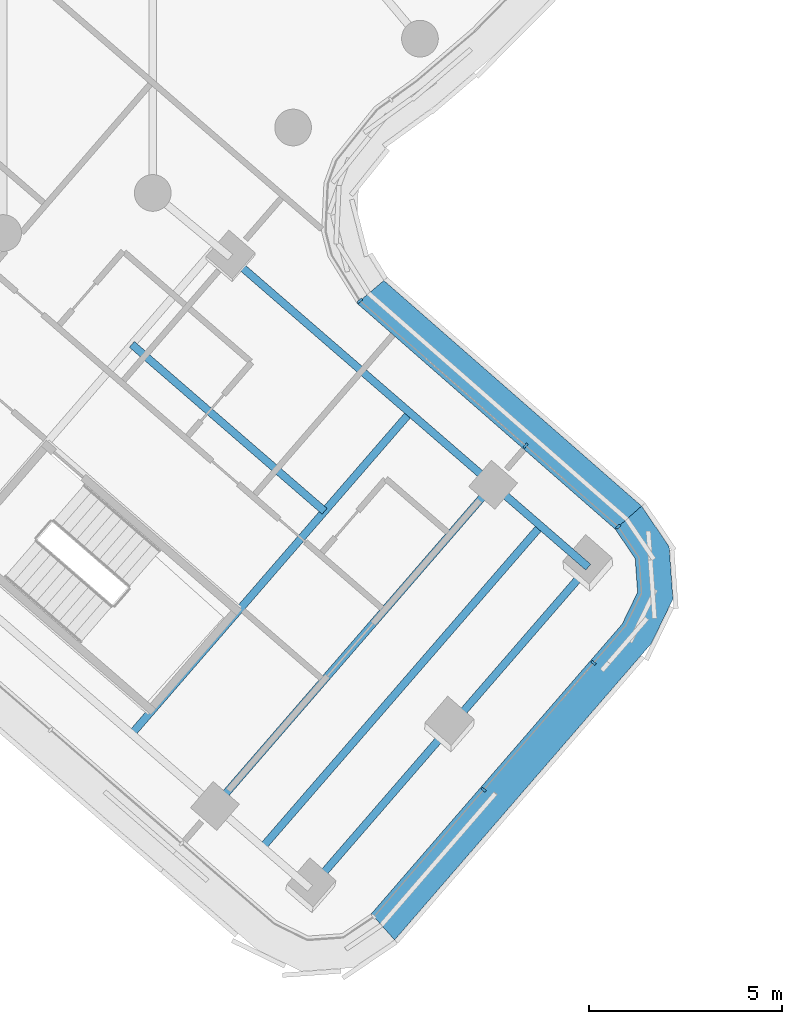
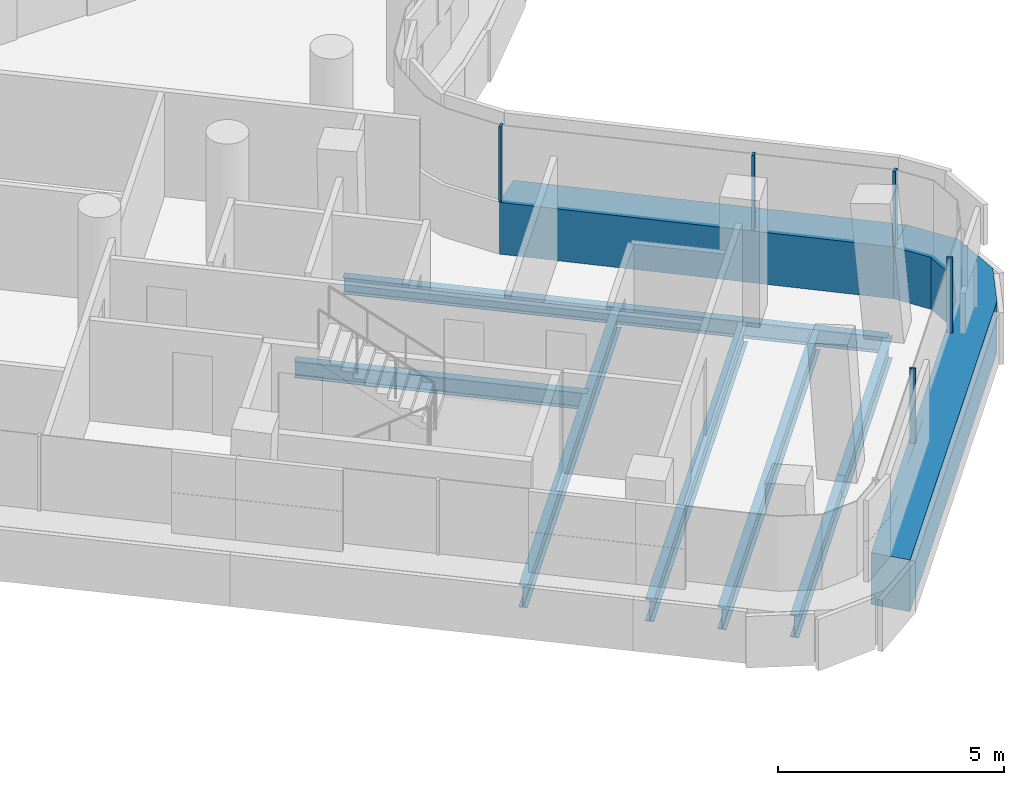
# One storey, part 6 of 32: 8 beams, 7 members, 3 elements without a shape of their own.
"""IFC4 building model written with IfcOpenShell, lengths in metres."""

from ifc_helpers import new_model, si_unit, direction, frame, origin, origin_2d, place, context, subcontext, project, spatial, polyline, rectangle, i_section, outline, extrude, material, layer, layer_set, material_profile, profile_set, type_object, element, aggregate, save


model = new_model("IFC4")

# Units and contexts
model_context = context("Model", 3, precision=1e-05, world=origin(), true_north=direction((0.0, 1.0)))
body_context = subcontext(model_context, "Body", "Model", "MODEL_VIEW")
ifc_project = project(units=[si_unit("LENGTHUNIT", "METRE"), si_unit("AREAUNIT", "SQUARE_METRE"), si_unit("VOLUMEUNIT", "CUBIC_METRE"), si_unit("PLANEANGLEUNIT", "RADIAN"), si_unit("MASSUNIT", "GRAM", prefix="KILO")], contexts=[model_context])

# Site, building, storey
site_placement = place(None, origin())
site = spatial("IfcSite", under=ifc_project, at=site_placement, CompositionType="ELEMENT")
building_placement = place(site_placement, origin())
building = spatial("IfcBuilding", under=site, at=building_placement, Name="Tamarind Cross Interchange Tower", CompositionType="ELEMENT")
storey_placement = place(building_placement, frame((0.0, 0.0, 211.300048828125)))
storey = spatial("IfcBuildingStorey", under=building, at=storey_placement, Name="L53", CompositionType="ELEMENT", Elevation=211.300048828125)

# Beams
ifc_material_1 = material(Name="Steel Q355B", Category="steel")
ifc_material_profile_1 = material_profile(ifc_material_1, i_section(OverallWidth=0.198974609375, OverallDepth=0.446044921875, WebThickness=0.008056640625, FlangeThickness=0.011962890625, FilletRadius=0.012939453125, at=origin_2d()), Name="HN 446x199x8x12")
ifc_profile_set_1 = profile_set([ifc_material_profile_1], Name="Steel Q355B")
beam_type_1 = type_object("IfcBeamType", Name="Composite beam HN 446x199x8x12 Q355B", PredefinedType="BEAM", material=ifc_profile_set_1)
beam_1_placement = place(storey_placement, frame((19.141357421875, -31.3017578125, -0.363037109375), z_axis=(-0.755899150045, 0.654688074553, 0.0), x_axis=(-0.654688074553, -0.755899150045, 0.0)))
element("IfcBeam", 1, at=beam_1_placement, inside=storey, type_object=beam_type_1, Name="Beam S-edgeep2", PredefinedType="BEAM", context=body_context, shape_type="SweptSolid", body=[
    extrude(i_section(OverallWidth=0.198974609375, OverallDepth=0.446044921875, WebThickness=0.008056640625, FlangeThickness=0.011962890625, FilletRadius=0.012939453125, at=origin_2d()), origin(), (0.0, 0.0, 1.0), 3.2587890625),
])
beam_2_placement = place(storey_placement, frame((16.677978515625, -29.168212890625, -0.363037109375), z_axis=(-0.755911009677, 0.654674381237, 0.0), x_axis=(-0.654674381237, -0.755911009677, 0.0)))
element("IfcBeam", 2, at=beam_2_placement, inside=storey, type_object=beam_type_1, Name="Beam S-edgeep3", PredefinedType="BEAM", context=body_context, shape_type="SweptSolid", body=[
    extrude(i_section(OverallWidth=0.198974609375, OverallDepth=0.446044921875, WebThickness=0.008056640625, FlangeThickness=0.011962890625, FilletRadius=0.012939453125, at=origin_2d()), origin(), (0.0, 0.0, 1.0), 9.0),
])
beam_3_placement = place(storey_placement, frame((7.3251953125, -25.53271484375, -0.363037109375), z_axis=(0.755914834316, -0.654669965144, 0.0), x_axis=(0.654669965144, 0.755914834316, 0.0)))
element("IfcBeam", 3, at=beam_3_placement, inside=storey, type_object=beam_type_1, Name="Beam S-stripp", PredefinedType="BEAM", context=body_context, shape_type="SweptSolid", body=[
    extrude(i_section(OverallWidth=0.198974609375, OverallDepth=0.446044921875, WebThickness=0.008056640625, FlangeThickness=0.011962890625, FilletRadius=0.012939453125, at=origin_2d()), origin(), (0.0, 0.0, 1.0), 6.599853515625),
])
ifc_material_profile_2 = material_profile(ifc_material_1, i_section(OverallWidth=0.198974609375, OverallDepth=0.595947265625, WebThickness=0.010009765625, FlangeThickness=0.014892578125, FilletRadius=0.012939453125, at=origin_2d()), Name="HN 596x199x10x15")
ifc_profile_set_2 = profile_set([ifc_material_profile_2], Name="Steel Q355B")
beam_type_2 = type_object("IfcBeamType", Name="Composite beam HN 596x199x10x15 Q355B", PredefinedType="BEAM", material=ifc_profile_set_2)
for number, where, z_axis, x_axis, name in (
    (4, (11.940185546875, -39.61669921875, -0.43798828125), (0.654665171446, 0.755918985934, 0.0), (-0.755918985934, 0.654665171446, 0.0), "Beam S-tip0"),
    (5, (15.540771484375, -35.459228515625, -0.43798828125), (0.654665171446, 0.755918985934, 0.0), (-0.755918985934, 0.654665171446, 0.0), "Beam S-tip1"),
):
    element("IfcBeam", number, at=place(storey_placement, frame(where, z_axis=z_axis, x_axis=x_axis)), inside=storey, type_object=beam_type_2, Name=name, PredefinedType="BEAM", context=body_context, shape_type="SweptSolid", body=[
        extrude(i_section(OverallWidth=0.198974609375, OverallDepth=0.595947265625, WebThickness=0.010009765625, FlangeThickness=0.014892578125, FilletRadius=0.012939453125, at=origin_2d()), origin(), (0.0, 0.0, 1.0), 5.5),
    ])
for number, where, z_axis, x_axis, name in (
    (6, (7.322265625, -35.617431640625, -0.43798828125), (0.654677853721, 0.755908002238, 0.0), (-0.755908002238, 0.654677853721, 0.0), "Beam S-x364"),
    (7, (9.476806640625, -37.4833984375, -0.43798828125), (0.654654187812, 0.755928498193, 0.0), (-0.755928498193, 0.654654187812, 0.0), "Beam S-x393"),
    (8, (10.70849609375, -38.550048828125, -0.43798828125), (0.654654187812, 0.755928498193, 0.0), (-0.755928498193, 0.654654187812, 0.0), "Beam S-x409"),
):
    element("IfcBeam", number, at=place(storey_placement, frame(where, z_axis=z_axis, x_axis=x_axis)), inside=storey, type_object=beam_type_2, Name=name, PredefinedType="BEAM", context=body_context, shape_type="SweptSolid", body=[
        extrude(i_section(OverallWidth=0.198974609375, OverallDepth=0.595947265625, WebThickness=0.010009765625, FlangeThickness=0.014892578125, FilletRadius=0.012939453125, at=origin_2d()), origin(), (0.0, 0.0, 1.0), 11.0),
    ])

# Curtain wall, member
ifc_material_2 = material(Name="Aluminium 6063-T6", Category="aluminium")
ifc_layer = layer(ifc_material_2, 0.139892578125)
ifc_layer_set = layer_set([ifc_layer], Name="Aluminium 6063-T6")
curtain_wall_type = type_object("IfcCurtainWallType", Name="Hotel curtain wall, 4.5 m bays", PredefinedType="NOTDEFINED", material=ifc_layer_set)
curtain_wall_1_placement = place(storey_placement, origin())
curtain_wall_1 = element("IfcCurtainWall", 9, at=curtain_wall_1_placement, inside=storey, type_object=curtain_wall_type, Name="CWS-L53-04", PredefinedType="NOTDEFINED")
ifc_material_3 = material(Name="Aluminium and insulated spandrel panel", Category="aluminium")
member_type_1 = type_object("IfcMemberType", Name="Floor-edge blade transom", PredefinedType="USERDEFINED", material=ifc_material_3)
member_1_placement = place(storey_placement, origin())
member_1 = element("IfcMember", 10, at=member_1_placement, type_object=member_type_1, Name="CWT-L53-04", ObjectType="TRANSOM", PredefinedType="USERDEFINED", context=body_context, shape_type="SweptSolid", body=[
    extrude(outline(polyline([(13.523681640625, -40.2744140625), (20.0185546875, -32.77490234375), (20.418212890625, -31.951416015625), (20.355712890625, -31.0791015625), (19.842041015625, -30.320556640625), (20.52197265625, -29.7197265625), (21.236083984375, -30.774169921875), (21.333251953125, -32.12744140625), (20.7763671875, -33.274658203125), (14.126220703125, -40.953125), (13.523681640625, -40.2744140625)])), origin(), (0.0, 0.0, 1.0), 1.39990234375),
])

curtain_wall_2_placement = place(storey_placement, origin())
curtain_wall_2 = element("IfcCurtainWall", 11, at=curtain_wall_2_placement, inside=storey, type_object=curtain_wall_type, Name="CWS-L53-05", PredefinedType="NOTDEFINED")
member_2_placement = place(storey_placement, origin())
member_2 = element("IfcMember", 12, at=member_2_placement, type_object=member_type_1, Name="CWT-L53-05", ObjectType="TRANSOM", PredefinedType="USERDEFINED", context=body_context, shape_type="SweptSolid", body=[
    extrude(outline(polyline([(19.842041015625, -30.320556640625), (13.15478515625, -24.4697265625), (13.848388671875, -23.880859375), (20.52197265625, -29.7197265625), (19.842041015625, -30.320556640625)])), origin(), (0.0, 0.0, 1.0), 1.39990234375),
])

# Member
ifc_material_profile_3 = material_profile(ifc_material_2, rectangle(XDim=0.06005859375, YDim=0.139892578125, at=origin_2d()), Name="Mullion CW2")
ifc_profile_set_3 = profile_set([ifc_material_profile_3], Name="Aluminium 6063-T6")
member_type_2 = type_object("IfcMemberType", Name="Mullion CW2", PredefinedType="MULLION", material=ifc_profile_set_3)
member_3_placement = place(storey_placement, frame((16.435546875, -37.06494140625, 1.39990234375), z_axis=(0.0, 0.0, 1.0), x_axis=(0.654666934653, 0.755917458902, 0.0)))
member_3 = element("IfcMember", 13, at=member_3_placement, type_object=member_type_2, Name="CWM-L53-04-01", PredefinedType="MULLION", context=body_context, shape_type="SweptSolid", body=[
    extrude(rectangle(XDim=0.06005859375, YDim=0.139892578125, at=origin_2d()), origin(), (0.0, 0.0, 1.0), 2.02001953125),
])

member_4_placement = place(storey_placement, frame((19.2802734375, -33.780029296875, 1.39990234375), z_axis=(0.0, 0.0, 1.0), x_axis=(0.654666934653, 0.755917458902, 0.0)))
member_4 = element("IfcMember", 14, at=member_4_placement, type_object=member_type_2, Name="CWM-L53-04-02", PredefinedType="MULLION", context=body_context, shape_type="SweptSolid", body=[
    extrude(rectangle(XDim=0.06005859375, YDim=0.139892578125, at=origin_2d()), origin(), (0.0, 0.0, 1.0), 2.02001953125),
])

aggregate(curtain_wall_1, [member_3, member_4, member_1])

member_5_placement = place(storey_placement, frame((19.91748046875, -30.25390625, 1.39990234375), z_axis=(0.0, 0.0, 1.0), x_axis=(-0.662111212428, 0.749405592705, 0.0)))
member_5 = element("IfcMember", 15, at=member_5_placement, type_object=member_type_2, Name="CWM-L53-05-00", PredefinedType="MULLION", context=body_context, shape_type="SweptSolid", body=[
    extrude(rectangle(XDim=0.06005859375, YDim=0.139892578125, at=origin_2d()), origin(), (0.0, 0.0, 1.0), 2.02001953125),
])

member_6_placement = place(storey_placement, frame((17.518310546875, -28.15478515625, 1.39990234375), z_axis=(0.0, 0.0, 1.0), x_axis=(-0.752605377966, 0.658471825561, 0.0)))
member_6 = element("IfcMember", 16, at=member_6_placement, type_object=member_type_2, Name="CWM-L53-05-01", PredefinedType="MULLION", context=body_context, shape_type="SweptSolid", body=[
    extrude(rectangle(XDim=0.06005859375, YDim=0.139892578125, at=origin_2d()), origin(), (0.0, 0.0, 1.0), 2.02001953125),
])

aggregate(curtain_wall_2, [member_5, member_6, member_2])

# Curtain wall, member
curtain_wall_3_placement = place(storey_placement, origin())
curtain_wall_3 = element("IfcCurtainWall", 17, at=curtain_wall_3_placement, inside=storey, type_object=curtain_wall_type, Name="CWS-L53-06", PredefinedType="NOTDEFINED")
member_7_placement = place(storey_placement, frame((13.23193359375, -24.404296875, 1.39990234375), z_axis=(0.0, 0.0, 1.0), x_axis=(-0.647182081453, 0.762335459916, 0.0)))
member_7 = element("IfcMember", 18, at=member_7_placement, type_object=member_type_2, Name="CWM-L53-06-00", PredefinedType="MULLION", context=body_context, shape_type="SweptSolid", body=[
    extrude(rectangle(XDim=0.06005859375, YDim=0.139892578125, at=origin_2d()), origin(), (0.0, 0.0, 1.0), 2.02001953125),
])
aggregate(curtain_wall_3, [member_7])

save(model, "model.ifc")
